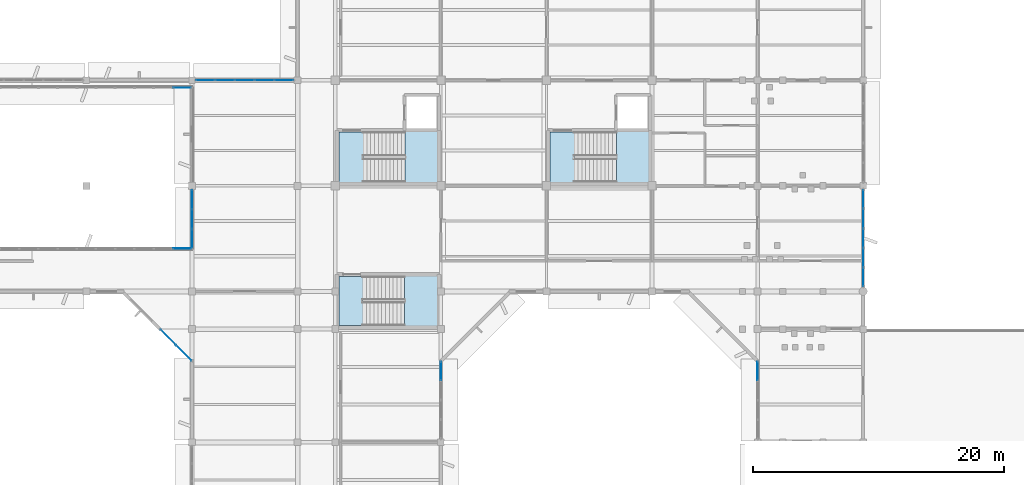
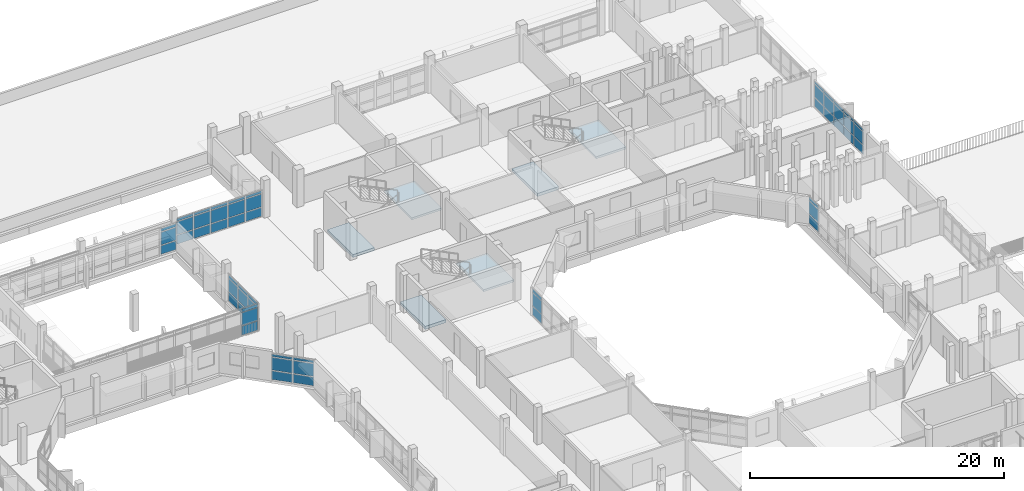
# One storey, part 55 of 92: 57 plates, 6 slabs, 11 elements without a shape of their own.
"""IFC4 building model written with IfcOpenShell, lengths in metres."""

from ifc_helpers import new_model, si_unit, direction, frame, origin, origin_2d, place, context, subcontext, project, spatial, polyline, rectangle, outline, extrude, material, layer, layer_set, type_object, element, aggregate, save


model = new_model("IFC4")

# Units and contexts
model_context = context("Model", 3, precision=1e-05, world=origin(), true_north=direction((0.0, 1.0)))
body_context = subcontext(model_context, "Body", "Model", "MODEL_VIEW")
ifc_project = project(units=[si_unit("LENGTHUNIT", "METRE"), si_unit("AREAUNIT", "SQUARE_METRE"), si_unit("VOLUMEUNIT", "CUBIC_METRE"), si_unit("PLANEANGLEUNIT", "RADIAN"), si_unit("MASSUNIT", "GRAM", prefix="KILO")], contexts=[model_context])

# Site, building, storey
site_placement = place(None, origin())
site = spatial("IfcSite", under=ifc_project, at=site_placement, CompositionType="ELEMENT")
building_placement = place(site_placement, origin())
building = spatial("IfcBuilding", under=site, at=building_placement, Name="Vanh Quang Courtyard School", CompositionType="ELEMENT")
storey_placement = place(building_placement, frame((0.0, 0.0, 7.800048828125)))
storey = spatial("IfcBuildingStorey", under=building, at=storey_placement, Name="L02", CompositionType="ELEMENT", Elevation=7.800048828125)

# Curtain wall, plates
ifc_material_1 = material(Name="Thermally broken aluminium unitised curtain wall", Category="aluminium")
curtain_wall_type_1 = type_object("IfcCurtainWallType", Name="CW-SYS-41", PredefinedType="NOTDEFINED", material=ifc_material_1)
curtain_wall_1_placement = place(storey_placement, origin())
curtain_wall_1 = element("IfcCurtainWall", 1, at=curtain_wall_1_placement, inside=storey, type_object=curtain_wall_type_1, Name="Curtain Wall CW-41 (L02)", PredefinedType="NOTDEFINED")
ifc_material_2 = material(Name="Low-E laminated double glazing", Category="glass")
ifc_layer_1 = layer(ifc_material_2, 0.028076171875)
ifc_layer_set_1 = layer_set([ifc_layer_1], Name="Low-E laminated double glazing")
plate_type_1 = type_object("IfcPlateType", Name="CW-PNL-28", PredefinedType="CURTAIN_PANEL", material=ifc_layer_set_1)
plate_1_placement = place(storey_placement, frame((65.349853515625, 66.506103515625, 0.079833984375), z_axis=(0.0, 0.0, 1.0), x_axis=(-0.707106781187, 0.707106781187, 0.0)))
plate_1 = element("IfcPlate", 2, at=plate_1_placement, type_object=plate_type_1, Name="CW-41 panel 1.1", PredefinedType="CURTAIN_PANEL", context=body_context, shape_type="SweptSolid", body=[
    extrude(rectangle(XDim=1.678955078125, YDim=0.028076171875, at=origin_2d()), origin(), (0.0, 0.0, 1.0), 0.830078125),
])
plate_2_placement = place(storey_placement, frame((65.349853515625, 66.506103515625, 0.98974609375), z_axis=(0.0, 0.0, 1.0), x_axis=(-0.707106781187, 0.707106781187, 0.0)))
plate_2 = element("IfcPlate", 3, at=plate_2_placement, type_object=plate_type_1, Name="CW-41 panel 1.2", PredefinedType="CURTAIN_PANEL", context=body_context, shape_type="SweptSolid", body=[
    extrude(rectangle(XDim=1.678955078125, YDim=0.028076171875, at=origin_2d()), origin(), (0.0, 0.0, 1.0), 1.219970703125),
])
plate_3_placement = place(storey_placement, frame((65.349853515625, 66.506103515625, 2.2900390625), z_axis=(0.0, 0.0, 1.0), x_axis=(-0.707106781187, 0.707106781187, 0.0)))
plate_3 = element("IfcPlate", 4, at=plate_3_placement, type_object=plate_type_1, Name="CW-41 panel 1.3", PredefinedType="CURTAIN_PANEL", context=body_context, shape_type="SweptSolid", body=[
    extrude(rectangle(XDim=1.678955078125, YDim=0.028076171875, at=origin_2d()), origin(), (0.0, 0.0, 1.0), 0.22998046875),
])
plate_4_placement = place(storey_placement, frame((64.106201171875, 67.749755859375, 0.079833984375), z_axis=(0.0, 0.0, 1.0), x_axis=(-0.707106781187, 0.707106781187, 0.0)))
plate_4 = element("IfcPlate", 5, at=plate_4_placement, type_object=plate_type_1, Name="CW-41 panel 2.1", PredefinedType="CURTAIN_PANEL", context=body_context, shape_type="SweptSolid", body=[
    extrude(rectangle(XDim=1.678955078125, YDim=0.028076171875, at=origin_2d()), origin(), (0.0, 0.0, 1.0), 0.830078125),
])
plate_5_placement = place(storey_placement, frame((64.106201171875, 67.749755859375, 0.98974609375), z_axis=(0.0, 0.0, 1.0), x_axis=(-0.707106781187, 0.707106781187, 0.0)))
plate_5 = element("IfcPlate", 6, at=plate_5_placement, type_object=plate_type_1, Name="CW-41 panel 2.2", PredefinedType="CURTAIN_PANEL", context=body_context, shape_type="SweptSolid", body=[
    extrude(rectangle(XDim=1.678955078125, YDim=0.028076171875, at=origin_2d()), origin(), (0.0, 0.0, 1.0), 1.219970703125),
])
plate_6_placement = place(storey_placement, frame((64.106201171875, 67.749755859375, 2.2900390625), z_axis=(0.0, 0.0, 1.0), x_axis=(-0.707106781187, 0.707106781187, 0.0)))
plate_6 = element("IfcPlate", 7, at=plate_6_placement, type_object=plate_type_1, Name="CW-41 panel 2.3", PredefinedType="CURTAIN_PANEL", context=body_context, shape_type="SweptSolid", body=[
    extrude(rectangle(XDim=1.678955078125, YDim=0.028076171875, at=origin_2d()), origin(), (0.0, 0.0, 1.0), 0.22998046875),
])
aggregate(curtain_wall_1, [plate_1, plate_2, plate_3, plate_4, plate_5, plate_6])

curtain_wall_type_2 = type_object("IfcCurtainWallType", Name="CW-SYS-44", PredefinedType="NOTDEFINED", material=ifc_material_1)
curtain_wall_2_placement = place(storey_placement, origin())
curtain_wall_2 = element("IfcCurtainWall", 8, at=curtain_wall_2_placement, inside=storey, type_object=curtain_wall_type_2, Name="Curtain Wall CW-44 (L02)", PredefinedType="NOTDEFINED")
plate_7_placement = place(storey_placement, frame((111.0, 65.066162109375, 0.06005859375), z_axis=(0.0, 0.0, 1.0), x_axis=(0.0, 1.0, 0.0)))
plate_7 = element("IfcPlate", 9, at=plate_7_placement, type_object=plate_type_1, Name="CW-44 panel 4.1", PredefinedType="CURTAIN_PANEL", context=body_context, shape_type="SweptSolid", body=[
    extrude(rectangle(XDim=1.45947265625, YDim=0.028076171875, at=origin_2d()), origin(), (0.0, 0.0, 1.0), 0.860107421875),
])
plate_8_placement = place(storey_placement, frame((111.0, 65.066162109375, 0.97998046875), z_axis=(0.0, 0.0, 1.0), x_axis=(0.0, 1.0, 0.0)))
plate_8 = element("IfcPlate", 10, at=plate_8_placement, type_object=plate_type_1, Name="CW-44 panel 4.2", PredefinedType="CURTAIN_PANEL", context=body_context, shape_type="SweptSolid", body=[
    extrude(rectangle(XDim=1.45947265625, YDim=0.028076171875, at=origin_2d()), origin(), (0.0, 0.0, 1.0), 1.239990234375),
])
plate_9_placement = place(storey_placement, frame((111.0, 65.066162109375, 2.27978515625), z_axis=(0.0, 0.0, 1.0), x_axis=(0.0, 1.0, 0.0)))
plate_9 = element("IfcPlate", 11, at=plate_9_placement, type_object=plate_type_1, Name="CW-44 panel 4.3", PredefinedType="CURTAIN_PANEL", context=body_context, shape_type="SweptSolid", body=[
    extrude(rectangle(XDim=1.45947265625, YDim=0.028076171875, at=origin_2d()), origin(), (0.0, 0.0, 1.0), 0.300048828125),
])
aggregate(curtain_wall_2, [plate_7, plate_8, plate_9])

curtain_wall_type_3 = type_object("IfcCurtainWallType", Name="CW-SYS-55", PredefinedType="NOTDEFINED", material=ifc_material_1)
curtain_wall_3_placement = place(storey_placement, origin())
curtain_wall_3 = element("IfcCurtainWall", 12, at=curtain_wall_3_placement, inside=storey, type_object=curtain_wall_type_3, Name="Curtain Wall CW-55 (L02)", PredefinedType="NOTDEFINED")
plate_10_placement = place(storey_placement, frame((66.0, 75.603759765625, 0.06982421875), z_axis=(0.0, 0.0, 1.0), x_axis=(0.0, 1.0, 0.0)))
plate_10 = element("IfcPlate", 13, at=plate_10_placement, type_object=plate_type_1, Name="CW-55 panel 1.1", PredefinedType="CURTAIN_PANEL", context=body_context, shape_type="SweptSolid", body=[
    extrude(rectangle(XDim=1.46728515625, YDim=0.028076171875, at=origin_2d()), origin(), (0.0, 0.0, 1.0), 0.844970703125),
])
plate_11_placement = place(storey_placement, frame((66.0, 75.603759765625, 0.98486328125), z_axis=(0.0, 0.0, 1.0), x_axis=(0.0, 1.0, 0.0)))
plate_11 = element("IfcPlate", 14, at=plate_11_placement, type_object=plate_type_1, Name="CW-55 panel 1.2", PredefinedType="CURTAIN_PANEL", context=body_context, shape_type="SweptSolid", body=[
    extrude(rectangle(XDim=1.46728515625, YDim=0.028076171875, at=origin_2d()), origin(), (0.0, 0.0, 1.0), 1.22998046875),
])
plate_12_placement = place(storey_placement, frame((66.0, 75.603759765625, 2.284912109375), z_axis=(0.0, 0.0, 1.0), x_axis=(0.0, 1.0, 0.0)))
plate_12 = element("IfcPlate", 15, at=plate_12_placement, type_object=plate_type_1, Name="CW-55 panel 1.3", PredefinedType="CURTAIN_PANEL", context=body_context, shape_type="SweptSolid", body=[
    extrude(rectangle(XDim=1.46728515625, YDim=0.028076171875, at=origin_2d()), origin(), (0.0, 0.0, 1.0), 0.294921875),
])
plate_13_placement = place(storey_placement, frame((66.0, 77.158447265625, 0.06982421875), z_axis=(0.0, 0.0, 1.0), x_axis=(0.0, 1.0, 0.0)))
plate_13 = element("IfcPlate", 16, at=plate_13_placement, type_object=plate_type_1, Name="CW-55 panel 2.1", PredefinedType="CURTAIN_PANEL", context=body_context, shape_type="SweptSolid", body=[
    extrude(rectangle(XDim=1.50244140625, YDim=0.028076171875, at=origin_2d()), origin(), (0.0, 0.0, 1.0), 0.844970703125),
])
plate_14_placement = place(storey_placement, frame((66.0, 77.158447265625, 0.98486328125), z_axis=(0.0, 0.0, 1.0), x_axis=(0.0, 1.0, 0.0)))
plate_14 = element("IfcPlate", 17, at=plate_14_placement, type_object=plate_type_1, Name="CW-55 panel 2.2", PredefinedType="CURTAIN_PANEL", context=body_context, shape_type="SweptSolid", body=[
    extrude(rectangle(XDim=1.50244140625, YDim=0.028076171875, at=origin_2d()), origin(), (0.0, 0.0, 1.0), 1.22998046875),
])
plate_15_placement = place(storey_placement, frame((66.0, 77.158447265625, 2.284912109375), z_axis=(0.0, 0.0, 1.0), x_axis=(0.0, 1.0, 0.0)))
plate_15 = element("IfcPlate", 18, at=plate_15_placement, type_object=plate_type_1, Name="CW-55 panel 2.3", PredefinedType="CURTAIN_PANEL", context=body_context, shape_type="SweptSolid", body=[
    extrude(rectangle(XDim=1.50244140625, YDim=0.028076171875, at=origin_2d()), origin(), (0.0, 0.0, 1.0), 0.294921875),
])
plate_16_placement = place(storey_placement, frame((66.0, 78.71337890625, 0.06982421875), z_axis=(0.0, 0.0, 1.0), x_axis=(0.0, 1.0, 0.0)))
plate_16 = element("IfcPlate", 19, at=plate_16_placement, type_object=plate_type_1, Name="CW-55 panel 3.1", PredefinedType="CURTAIN_PANEL", context=body_context, shape_type="SweptSolid", body=[
    extrude(rectangle(XDim=1.46728515625, YDim=0.028076171875, at=origin_2d()), origin(), (0.0, 0.0, 1.0), 0.844970703125),
])
plate_17_placement = place(storey_placement, frame((66.0, 78.71337890625, 0.98486328125), z_axis=(0.0, 0.0, 1.0), x_axis=(0.0, 1.0, 0.0)))
plate_17 = element("IfcPlate", 20, at=plate_17_placement, type_object=plate_type_1, Name="CW-55 panel 3.2", PredefinedType="CURTAIN_PANEL", context=body_context, shape_type="SweptSolid", body=[
    extrude(rectangle(XDim=1.46728515625, YDim=0.028076171875, at=origin_2d()), origin(), (0.0, 0.0, 1.0), 1.22998046875),
])
plate_18_placement = place(storey_placement, frame((66.0, 78.71337890625, 2.284912109375), z_axis=(0.0, 0.0, 1.0), x_axis=(0.0, 1.0, 0.0)))
plate_18 = element("IfcPlate", 21, at=plate_18_placement, type_object=plate_type_1, Name="CW-55 panel 3.3", PredefinedType="CURTAIN_PANEL", context=body_context, shape_type="SweptSolid", body=[
    extrude(rectangle(XDim=1.46728515625, YDim=0.028076171875, at=origin_2d()), origin(), (0.0, 0.0, 1.0), 0.294921875),
])
aggregate(curtain_wall_3, [plate_10, plate_11, plate_12, plate_13, plate_14, plate_15, plate_16, plate_17, plate_18])

curtain_wall_type_4 = type_object("IfcCurtainWallType", Name="CW-SYS-19", PredefinedType="NOTDEFINED", material=ifc_material_1)
curtain_wall_4_placement = place(storey_placement, origin())
curtain_wall_4 = element("IfcCurtainWall", 22, at=curtain_wall_4_placement, inside=storey, type_object=curtain_wall_type_4, Name="Curtain Wall CW-19 (L02)", PredefinedType="NOTDEFINED")
ifc_layer_2 = layer(ifc_material_2, 0.031982421875)
ifc_layer_set_2 = layer_set([ifc_layer_2], Name="Low-E laminated double glazing")
plate_type_2 = type_object("IfcPlateType", Name="CW-PNL-32", PredefinedType="CURTAIN_PANEL", material=ifc_layer_set_2)
plate_19_placement = place(storey_placement, frame((67.061279296875, 88.199951171875, 0.06982421875), z_axis=(0.0, 0.0, 1.0), x_axis=(1.0, 0.0, 0.0)))
plate_19 = element("IfcPlate", 23, at=plate_19_placement, type_object=plate_type_2, Name="CW-19 panel 1.1", PredefinedType="CURTAIN_PANEL", context=body_context, shape_type="SweptSolid", body=[
    extrude(rectangle(XDim=1.466796875, YDim=0.031982421875, at=origin_2d()), origin(), (0.0, 0.0, 1.0), 0.844970703125),
])
plate_20_placement = place(storey_placement, frame((67.061279296875, 88.199951171875, 0.98486328125), z_axis=(0.0, 0.0, 1.0), x_axis=(1.0, 0.0, 0.0)))
plate_20 = element("IfcPlate", 24, at=plate_20_placement, type_object=plate_type_2, Name="CW-19 panel 1.2", PredefinedType="CURTAIN_PANEL", context=body_context, shape_type="SweptSolid", body=[
    extrude(rectangle(XDim=1.466796875, YDim=0.031982421875, at=origin_2d()), origin(), (0.0, 0.0, 1.0), 1.22998046875),
])
plate_21_placement = place(storey_placement, frame((67.061279296875, 88.199951171875, 2.284912109375), z_axis=(0.0, 0.0, 1.0), x_axis=(1.0, 0.0, 0.0)))
plate_21 = element("IfcPlate", 25, at=plate_21_placement, type_object=plate_type_2, Name="CW-19 panel 1.3", PredefinedType="CURTAIN_PANEL", context=body_context, shape_type="SweptSolid", body=[
    extrude(rectangle(XDim=1.466796875, YDim=0.031982421875, at=origin_2d()), origin(), (0.0, 0.0, 1.0), 0.2451171875),
])
plate_22_placement = place(storey_placement, frame((68.61572265625, 88.199951171875, 0.06982421875), z_axis=(0.0, 0.0, 1.0), x_axis=(1.0, 0.0, 0.0)))
plate_22 = element("IfcPlate", 26, at=plate_22_placement, type_object=plate_type_2, Name="CW-19 panel 2.1", PredefinedType="CURTAIN_PANEL", context=body_context, shape_type="SweptSolid", body=[
    extrude(rectangle(XDim=1.501708984375, YDim=0.031982421875, at=origin_2d()), origin(), (0.0, 0.0, 1.0), 0.844970703125),
])
plate_23_placement = place(storey_placement, frame((68.61572265625, 88.199951171875, 0.98486328125), z_axis=(0.0, 0.0, 1.0), x_axis=(1.0, 0.0, 0.0)))
plate_23 = element("IfcPlate", 27, at=plate_23_placement, type_object=plate_type_2, Name="CW-19 panel 2.2", PredefinedType="CURTAIN_PANEL", context=body_context, shape_type="SweptSolid", body=[
    extrude(rectangle(XDim=1.501708984375, YDim=0.031982421875, at=origin_2d()), origin(), (0.0, 0.0, 1.0), 1.22998046875),
])
plate_24_placement = place(storey_placement, frame((68.61572265625, 88.199951171875, 2.284912109375), z_axis=(0.0, 0.0, 1.0), x_axis=(1.0, 0.0, 0.0)))
plate_24 = element("IfcPlate", 28, at=plate_24_placement, type_object=plate_type_2, Name="CW-19 panel 2.3", PredefinedType="CURTAIN_PANEL", context=body_context, shape_type="SweptSolid", body=[
    extrude(rectangle(XDim=1.501708984375, YDim=0.031982421875, at=origin_2d()), origin(), (0.0, 0.0, 1.0), 0.2451171875),
])
plate_25_placement = place(storey_placement, frame((70.1875, 88.199951171875, 0.06982421875), z_axis=(0.0, 0.0, 1.0), x_axis=(1.0, 0.0, 0.0)))
plate_25 = element("IfcPlate", 29, at=plate_25_placement, type_object=plate_type_2, Name="CW-19 panel 3.1", PredefinedType="CURTAIN_PANEL", context=body_context, shape_type="SweptSolid", body=[
    extrude(rectangle(XDim=1.501708984375, YDim=0.031982421875, at=origin_2d()), origin(), (0.0, 0.0, 1.0), 0.844970703125),
])
plate_26_placement = place(storey_placement, frame((70.1875, 88.199951171875, 0.98486328125), z_axis=(0.0, 0.0, 1.0), x_axis=(1.0, 0.0, 0.0)))
plate_26 = element("IfcPlate", 30, at=plate_26_placement, type_object=plate_type_2, Name="CW-19 panel 3.2", PredefinedType="CURTAIN_PANEL", context=body_context, shape_type="SweptSolid", body=[
    extrude(rectangle(XDim=1.501708984375, YDim=0.031982421875, at=origin_2d()), origin(), (0.0, 0.0, 1.0), 1.22998046875),
])
plate_27_placement = place(storey_placement, frame((70.1875, 88.199951171875, 2.284912109375), z_axis=(0.0, 0.0, 1.0), x_axis=(1.0, 0.0, 0.0)))
plate_27 = element("IfcPlate", 31, at=plate_27_placement, type_object=plate_type_2, Name="CW-19 panel 3.3", PredefinedType="CURTAIN_PANEL", context=body_context, shape_type="SweptSolid", body=[
    extrude(rectangle(XDim=1.501708984375, YDim=0.031982421875, at=origin_2d()), origin(), (0.0, 0.0, 1.0), 0.2451171875),
])
plate_28_placement = place(storey_placement, frame((71.75927734375, 88.199951171875, 0.06982421875), z_axis=(0.0, 0.0, 1.0), x_axis=(1.0, 0.0, 0.0)))
plate_28 = element("IfcPlate", 32, at=plate_28_placement, type_object=plate_type_2, Name="CW-19 panel 4.1", PredefinedType="CURTAIN_PANEL", context=body_context, shape_type="SweptSolid", body=[
    extrude(rectangle(XDim=1.501708984375, YDim=0.031982421875, at=origin_2d()), origin(), (0.0, 0.0, 1.0), 0.844970703125),
])
plate_29_placement = place(storey_placement, frame((71.75927734375, 88.199951171875, 0.98486328125), z_axis=(0.0, 0.0, 1.0), x_axis=(1.0, 0.0, 0.0)))
plate_29 = element("IfcPlate", 33, at=plate_29_placement, type_object=plate_type_2, Name="CW-19 panel 4.2", PredefinedType="CURTAIN_PANEL", context=body_context, shape_type="SweptSolid", body=[
    extrude(rectangle(XDim=1.501708984375, YDim=0.031982421875, at=origin_2d()), origin(), (0.0, 0.0, 1.0), 1.22998046875),
])
plate_30_placement = place(storey_placement, frame((71.75927734375, 88.199951171875, 2.284912109375), z_axis=(0.0, 0.0, 1.0), x_axis=(1.0, 0.0, 0.0)))
plate_30 = element("IfcPlate", 34, at=plate_30_placement, type_object=plate_type_2, Name="CW-19 panel 4.3", PredefinedType="CURTAIN_PANEL", context=body_context, shape_type="SweptSolid", body=[
    extrude(rectangle(XDim=1.501708984375, YDim=0.031982421875, at=origin_2d()), origin(), (0.0, 0.0, 1.0), 0.2451171875),
])
plate_31_placement = place(storey_placement, frame((73.313720703125, 88.199951171875, 0.06982421875), z_axis=(0.0, 0.0, 1.0), x_axis=(1.0, 0.0, 0.0)))
plate_31 = element("IfcPlate", 35, at=plate_31_placement, type_object=plate_type_2, Name="CW-19 panel 5.1", PredefinedType="CURTAIN_PANEL", context=body_context, shape_type="SweptSolid", body=[
    extrude(rectangle(XDim=1.466796875, YDim=0.031982421875, at=origin_2d()), origin(), (0.0, 0.0, 1.0), 0.844970703125),
])
plate_32_placement = place(storey_placement, frame((73.313720703125, 88.199951171875, 0.98486328125), z_axis=(0.0, 0.0, 1.0), x_axis=(1.0, 0.0, 0.0)))
plate_32 = element("IfcPlate", 36, at=plate_32_placement, type_object=plate_type_2, Name="CW-19 panel 5.2", PredefinedType="CURTAIN_PANEL", context=body_context, shape_type="SweptSolid", body=[
    extrude(rectangle(XDim=1.466796875, YDim=0.031982421875, at=origin_2d()), origin(), (0.0, 0.0, 1.0), 1.22998046875),
])
plate_33_placement = place(storey_placement, frame((73.313720703125, 88.199951171875, 2.284912109375), z_axis=(0.0, 0.0, 1.0), x_axis=(1.0, 0.0, 0.0)))
plate_33 = element("IfcPlate", 37, at=plate_33_placement, type_object=plate_type_2, Name="CW-19 panel 5.3", PredefinedType="CURTAIN_PANEL", context=body_context, shape_type="SweptSolid", body=[
    extrude(rectangle(XDim=1.466796875, YDim=0.031982421875, at=origin_2d()), origin(), (0.0, 0.0, 1.0), 0.2451171875),
])
aggregate(curtain_wall_4, [plate_19, plate_20, plate_21, plate_22, plate_23, plate_24, plate_25, plate_26, plate_27, plate_28, plate_29, plate_30, plate_31, plate_32, plate_33])

curtain_wall_type_5 = type_object("IfcCurtainWallType", Name="CW-SYS-24", PredefinedType="NOTDEFINED", material=ifc_material_1)
curtain_wall_5_placement = place(storey_placement, origin())
curtain_wall_5 = element("IfcCurtainWall", 38, at=curtain_wall_5_placement, inside=storey, type_object=curtain_wall_type_5, Name="Curtain Wall CW-24 (L02)", PredefinedType="NOTDEFINED")
plate_34_placement = place(storey_placement, frame((119.39990234375, 78.7412109375, 0.079833984375), z_axis=(0.0, 0.0, 1.0), x_axis=(0.0, -1.0, 0.0)))
plate_34 = element("IfcPlate", 39, at=plate_34_placement, type_object=plate_type_2, Name="CW-24 panel 1.1", PredefinedType="CURTAIN_PANEL", context=body_context, shape_type="SweptSolid", body=[
    extrude(rectangle(XDim=1.44189453125, YDim=0.031982421875, at=origin_2d()), origin(), (0.0, 0.0, 1.0), 0.830078125),
])
plate_35_placement = place(storey_placement, frame((119.39990234375, 78.7412109375, 0.98974609375), z_axis=(0.0, 0.0, 1.0), x_axis=(0.0, -1.0, 0.0)))
plate_35 = element("IfcPlate", 40, at=plate_35_placement, type_object=plate_type_2, Name="CW-24 panel 1.2", PredefinedType="CURTAIN_PANEL", context=body_context, shape_type="SweptSolid", body=[
    extrude(rectangle(XDim=1.44189453125, YDim=0.031982421875, at=origin_2d()), origin(), (0.0, 0.0, 1.0), 1.219970703125),
])
plate_36_placement = place(storey_placement, frame((119.39990234375, 78.7412109375, 2.2900390625), z_axis=(0.0, 0.0, 1.0), x_axis=(0.0, -1.0, 0.0)))
plate_36 = element("IfcPlate", 41, at=plate_36_placement, type_object=plate_type_2, Name="CW-24 panel 1.3", PredefinedType="CURTAIN_PANEL", context=body_context, shape_type="SweptSolid", body=[
    extrude(rectangle(XDim=1.44189453125, YDim=0.031982421875, at=origin_2d()), origin(), (0.0, 0.0, 1.0), 0.2099609375),
])
plate_37_placement = place(storey_placement, frame((119.39990234375, 77.19921875, 0.079833984375), z_axis=(0.0, 0.0, 1.0), x_axis=(0.0, -1.0, 0.0)))
plate_37 = element("IfcPlate", 42, at=plate_37_placement, type_object=plate_type_2, Name="CW-24 panel 2.1", PredefinedType="CURTAIN_PANEL", context=body_context, shape_type="SweptSolid", body=[
    extrude(rectangle(XDim=1.481689453125, YDim=0.031982421875, at=origin_2d()), origin(), (0.0, 0.0, 1.0), 0.830078125),
])
plate_38_placement = place(storey_placement, frame((119.39990234375, 77.19921875, 0.98974609375), z_axis=(0.0, 0.0, 1.0), x_axis=(0.0, -1.0, 0.0)))
plate_38 = element("IfcPlate", 43, at=plate_38_placement, type_object=plate_type_2, Name="CW-24 panel 2.2", PredefinedType="CURTAIN_PANEL", context=body_context, shape_type="SweptSolid", body=[
    extrude(rectangle(XDim=1.481689453125, YDim=0.031982421875, at=origin_2d()), origin(), (0.0, 0.0, 1.0), 1.219970703125),
])
plate_39_placement = place(storey_placement, frame((119.39990234375, 77.19921875, 2.2900390625), z_axis=(0.0, 0.0, 1.0), x_axis=(0.0, -1.0, 0.0)))
plate_39 = element("IfcPlate", 44, at=plate_39_placement, type_object=plate_type_2, Name="CW-24 panel 2.3", PredefinedType="CURTAIN_PANEL", context=body_context, shape_type="SweptSolid", body=[
    extrude(rectangle(XDim=1.481689453125, YDim=0.031982421875, at=origin_2d()), origin(), (0.0, 0.0, 1.0), 0.2099609375),
])
plate_40_placement = place(storey_placement, frame((119.39990234375, 75.637451171875, 0.079833984375), z_axis=(0.0, 0.0, 1.0), x_axis=(0.0, -1.0, 0.0)))
plate_40 = element("IfcPlate", 45, at=plate_40_placement, type_object=plate_type_2, Name="CW-24 panel 3.1", PredefinedType="CURTAIN_PANEL", context=body_context, shape_type="SweptSolid", body=[
    extrude(rectangle(XDim=1.481689453125, YDim=0.031982421875, at=origin_2d()), origin(), (0.0, 0.0, 1.0), 0.830078125),
])
plate_41_placement = place(storey_placement, frame((119.39990234375, 75.637451171875, 0.98974609375), z_axis=(0.0, 0.0, 1.0), x_axis=(0.0, -1.0, 0.0)))
plate_41 = element("IfcPlate", 46, at=plate_41_placement, type_object=plate_type_2, Name="CW-24 panel 3.2", PredefinedType="CURTAIN_PANEL", context=body_context, shape_type="SweptSolid", body=[
    extrude(rectangle(XDim=1.481689453125, YDim=0.031982421875, at=origin_2d()), origin(), (0.0, 0.0, 1.0), 1.219970703125),
])
plate_42_placement = place(storey_placement, frame((119.39990234375, 75.637451171875, 2.2900390625), z_axis=(0.0, 0.0, 1.0), x_axis=(0.0, -1.0, 0.0)))
plate_42 = element("IfcPlate", 47, at=plate_42_placement, type_object=plate_type_2, Name="CW-24 panel 3.3", PredefinedType="CURTAIN_PANEL", context=body_context, shape_type="SweptSolid", body=[
    extrude(rectangle(XDim=1.481689453125, YDim=0.031982421875, at=origin_2d()), origin(), (0.0, 0.0, 1.0), 0.2099609375),
])
plate_43_placement = place(storey_placement, frame((119.39990234375, 74.07568359375, 0.079833984375), z_axis=(0.0, 0.0, 1.0), x_axis=(0.0, -1.0, 0.0)))
plate_43 = element("IfcPlate", 48, at=plate_43_placement, type_object=plate_type_2, Name="CW-24 panel 4.1", PredefinedType="CURTAIN_PANEL", context=body_context, shape_type="SweptSolid", body=[
    extrude(rectangle(XDim=1.481689453125, YDim=0.031982421875, at=origin_2d()), origin(), (0.0, 0.0, 1.0), 0.830078125),
])
plate_44_placement = place(storey_placement, frame((119.39990234375, 74.07568359375, 0.98974609375), z_axis=(0.0, 0.0, 1.0), x_axis=(0.0, -1.0, 0.0)))
plate_44 = element("IfcPlate", 49, at=plate_44_placement, type_object=plate_type_2, Name="CW-24 panel 4.2", PredefinedType="CURTAIN_PANEL", context=body_context, shape_type="SweptSolid", body=[
    extrude(rectangle(XDim=1.481689453125, YDim=0.031982421875, at=origin_2d()), origin(), (0.0, 0.0, 1.0), 1.219970703125),
])
plate_45_placement = place(storey_placement, frame((119.39990234375, 74.07568359375, 2.2900390625), z_axis=(0.0, 0.0, 1.0), x_axis=(0.0, -1.0, 0.0)))
plate_45 = element("IfcPlate", 50, at=plate_45_placement, type_object=plate_type_2, Name="CW-24 panel 4.3", PredefinedType="CURTAIN_PANEL", context=body_context, shape_type="SweptSolid", body=[
    extrude(rectangle(XDim=1.481689453125, YDim=0.031982421875, at=origin_2d()), origin(), (0.0, 0.0, 1.0), 0.2099609375),
])
plate_46_placement = place(storey_placement, frame((119.39990234375, 72.533935546875, 0.079833984375), z_axis=(0.0, 0.0, 1.0), x_axis=(0.0, -1.0, 0.0)))
plate_46 = element("IfcPlate", 51, at=plate_46_placement, type_object=plate_type_2, Name="CW-24 panel 5.1", PredefinedType="CURTAIN_PANEL", context=body_context, shape_type="SweptSolid", body=[
    extrude(rectangle(XDim=1.44189453125, YDim=0.031982421875, at=origin_2d()), origin(), (0.0, 0.0, 1.0), 0.830078125),
])
plate_47_placement = place(storey_placement, frame((119.39990234375, 72.533935546875, 0.98974609375), z_axis=(0.0, 0.0, 1.0), x_axis=(0.0, -1.0, 0.0)))
plate_47 = element("IfcPlate", 52, at=plate_47_placement, type_object=plate_type_2, Name="CW-24 panel 5.2", PredefinedType="CURTAIN_PANEL", context=body_context, shape_type="SweptSolid", body=[
    extrude(rectangle(XDim=1.44189453125, YDim=0.031982421875, at=origin_2d()), origin(), (0.0, 0.0, 1.0), 1.219970703125),
])
plate_48_placement = place(storey_placement, frame((119.39990234375, 72.533935546875, 2.2900390625), z_axis=(0.0, 0.0, 1.0), x_axis=(0.0, -1.0, 0.0)))
plate_48 = element("IfcPlate", 53, at=plate_48_placement, type_object=plate_type_2, Name="CW-24 panel 5.3", PredefinedType="CURTAIN_PANEL", context=body_context, shape_type="SweptSolid", body=[
    extrude(rectangle(XDim=1.44189453125, YDim=0.031982421875, at=origin_2d()), origin(), (0.0, 0.0, 1.0), 0.2099609375),
])
aggregate(curtain_wall_5, [plate_34, plate_35, plate_36, plate_37, plate_38, plate_39, plate_40, plate_41, plate_42, plate_43, plate_44, plate_45, plate_46, plate_47, plate_48])

curtain_wall_6_placement = place(storey_placement, origin())
curtain_wall_6 = element("IfcCurtainWall", 54, at=curtain_wall_6_placement, inside=storey, type_object=curtain_wall_type_2, Name="Curtain Wall CW-44 (L02)", PredefinedType="NOTDEFINED")
plate_49_placement = place(storey_placement, frame((85.800048828125, 65.063720703125, 0.06982421875), z_axis=(0.0, 0.0, 1.0), x_axis=(0.0, -1.0, 0.0)))
plate_49 = element("IfcPlate", 55, at=plate_49_placement, type_object=plate_type_2, Name="CW-44 panel 1.1", PredefinedType="CURTAIN_PANEL", context=body_context, shape_type="SweptSolid", body=[
    extrude(rectangle(XDim=1.444580078125, YDim=0.031982421875, at=origin_2d()), origin(), (0.0, 0.0, 1.0), 0.844970703125),
])
plate_50_placement = place(storey_placement, frame((85.800048828125, 65.063720703125, 0.98486328125), z_axis=(0.0, 0.0, 1.0), x_axis=(0.0, -1.0, 0.0)))
plate_50 = element("IfcPlate", 56, at=plate_50_placement, type_object=plate_type_2, Name="CW-44 panel 1.2", PredefinedType="CURTAIN_PANEL", context=body_context, shape_type="SweptSolid", body=[
    extrude(rectangle(XDim=1.444580078125, YDim=0.031982421875, at=origin_2d()), origin(), (0.0, 0.0, 1.0), 1.22998046875),
])
plate_51_placement = place(storey_placement, frame((85.800048828125, 65.063720703125, 2.28515625), z_axis=(0.0, 0.0, 1.0), x_axis=(0.0, -1.0, 0.0)))
plate_51 = element("IfcPlate", 57, at=plate_51_placement, type_object=plate_type_2, Name="CW-44 panel 1.3", PredefinedType="CURTAIN_PANEL", context=body_context, shape_type="SweptSolid", body=[
    extrude(rectangle(XDim=1.444580078125, YDim=0.031982421875, at=origin_2d()), origin(), (0.0, 0.0, 1.0), 0.284912109375),
])
aggregate(curtain_wall_6, [plate_49, plate_50, plate_51])

curtain_wall_type_6 = type_object("IfcCurtainWallType", Name="CW-SYS-54", PredefinedType="NOTDEFINED", material=ifc_material_1)
curtain_wall_7_placement = place(storey_placement, origin())
curtain_wall_7 = element("IfcCurtainWall", 58, at=curtain_wall_7_placement, inside=storey, type_object=curtain_wall_type_6, Name="Curtain Wall CW-54 (L02)", PredefinedType="NOTDEFINED")
plate_52_placement = place(storey_placement, frame((65.221435546875, 74.800048828125, 0.06005859375), z_axis=(0.0, 0.0, 1.0), x_axis=(1.0, 0.0, 0.0)))
plate_52 = element("IfcPlate", 59, at=plate_52_placement, type_object=plate_type_2, Name="CW-54 panel 11.1", PredefinedType="CURTAIN_PANEL", context=body_context, shape_type="SweptSolid", body=[
    extrude(rectangle(XDim=1.437255859375, YDim=0.031982421875, at=origin_2d()), origin(), (0.0, 0.0, 1.0), 0.860107421875),
])
plate_53_placement = place(storey_placement, frame((65.221435546875, 74.800048828125, 0.97998046875), z_axis=(0.0, 0.0, 1.0), x_axis=(1.0, 0.0, 0.0)))
plate_53 = element("IfcPlate", 60, at=plate_53_placement, type_object=plate_type_2, Name="CW-54 panel 11.2", PredefinedType="CURTAIN_PANEL", context=body_context, shape_type="SweptSolid", body=[
    extrude(rectangle(XDim=1.437255859375, YDim=0.031982421875, at=origin_2d()), origin(), (0.0, 0.0, 1.0), 1.239990234375),
])
plate_54_placement = place(storey_placement, frame((65.221435546875, 74.800048828125, 2.280029296875), z_axis=(0.0, 0.0, 1.0), x_axis=(1.0, 0.0, 0.0)))
plate_54 = element("IfcPlate", 61, at=plate_54_placement, type_object=plate_type_2, Name="CW-54 panel 11.3", PredefinedType="CURTAIN_PANEL", context=body_context, shape_type="SweptSolid", body=[
    extrude(rectangle(XDim=1.437255859375, YDim=0.031982421875, at=origin_2d()), origin(), (0.0, 0.0, 1.0), 0.31005859375),
])
aggregate(curtain_wall_7, [plate_52, plate_53, plate_54])

curtain_wall_8_placement = place(storey_placement, origin())
curtain_wall_8 = element("IfcCurtainWall", 62, at=curtain_wall_8_placement, inside=storey, type_object=curtain_wall_type_6, Name="Curtain Wall CW-54 (L02)", PredefinedType="NOTDEFINED")
plate_55_placement = place(storey_placement, frame((65.21630859375, 87.60009765625, 0.079833984375), z_axis=(0.0, 0.0, 1.0), x_axis=(-1.0, 0.0, 0.0)))
plate_55 = element("IfcPlate", 63, at=plate_55_placement, type_object=plate_type_2, Name="CW-54 panel 1.1", PredefinedType="CURTAIN_PANEL", context=body_context, shape_type="SweptSolid", body=[
    extrude(rectangle(XDim=1.4072265625, YDim=0.031982421875, at=origin_2d()), origin(), (0.0, 0.0, 1.0), 0.830078125),
])
plate_56_placement = place(storey_placement, frame((65.21630859375, 87.60009765625, 0.98974609375), z_axis=(0.0, 0.0, 1.0), x_axis=(-1.0, 0.0, 0.0)))
plate_56 = element("IfcPlate", 64, at=plate_56_placement, type_object=plate_type_2, Name="CW-54 panel 1.2", PredefinedType="CURTAIN_PANEL", context=body_context, shape_type="SweptSolid", body=[
    extrude(rectangle(XDim=1.4072265625, YDim=0.031982421875, at=origin_2d()), origin(), (0.0, 0.0, 1.0), 1.219970703125),
])
plate_57_placement = place(storey_placement, frame((65.21630859375, 87.60009765625, 2.2900390625), z_axis=(0.0, 0.0, 1.0), x_axis=(-1.0, 0.0, 0.0)))
plate_57 = element("IfcPlate", 65, at=plate_57_placement, type_object=plate_type_2, Name="CW-54 panel 1.3", PredefinedType="CURTAIN_PANEL", context=body_context, shape_type="SweptSolid", body=[
    extrude(rectangle(XDim=1.4072265625, YDim=0.031982421875, at=origin_2d()), origin(), (0.0, 0.0, 1.0), 0.280029296875),
])
aggregate(curtain_wall_8, [plate_55, plate_56, plate_57])

# Slabs
ifc_material_3 = material(Name="Concrete C30/37", Category="concrete")
ifc_layer_3 = layer(ifc_material_3, 0.280029296875)
ifc_layer_set_3 = layer_set([ifc_layer_3], Name="Concrete C30/37")
slab_type_1 = type_object("IfcSlabType", Name="SLB-FLR-280", PredefinedType="FLOOR", material=ifc_layer_set_3)
slab_1_placement = place(storey_placement, frame((0.0, 0.0, -0.280029296875)))
element("IfcSlab", 66, at=slab_1_placement, inside=storey, type_object=slab_type_1, Name="Slab SF-02 (L02)", PredefinedType="FLOOR", context=body_context, shape_type="SweptSolid", body=[
    extrude(outline(polyline([(79.6298828125, 80.080078125), (77.679931640625, 80.080078125), (77.679931640625, 84.080078125), (79.6298828125, 84.080078125), (79.6298828125, 80.080078125)])), origin(), (0.0, 0.0, 1.0), 0.280029296875),
])
slab_2_placement = place(storey_placement, frame((0.0, 0.0, -0.280029296875)))
element("IfcSlab", 67, at=slab_2_placement, inside=storey, type_object=slab_type_1, Name="Slab SF-02 (L02)", PredefinedType="FLOOR", context=body_context, shape_type="SweptSolid", body=[
    extrude(outline(polyline([(96.429931640625, 80.080078125), (94.47998046875, 80.080078125), (94.47998046875, 84.080078125), (96.429931640625, 84.080078125), (96.429931640625, 80.080078125)])), origin(), (0.0, 0.0, 1.0), 0.280029296875),
])
slab_3_placement = place(storey_placement, frame((0.0, 0.0, -0.280029296875)))
element("IfcSlab", 68, at=slab_3_placement, inside=storey, type_object=slab_type_1, Name="Slab SF-02 (L02)", PredefinedType="FLOOR", context=body_context, shape_type="SweptSolid", body=[
    extrude(outline(polyline([(79.590087890625, 68.679931640625), (77.679931640625, 68.679931640625), (77.679931640625, 71.39990234375), (77.679931640625, 72.60009765625), (79.590087890625, 72.60009765625), (79.590087890625, 68.679931640625)])), origin(), (0.0, 0.0, 1.0), 0.280029296875),
])

# Stair, slab
stair_type_1 = type_object("IfcStairType", Name="STR-CORE-1920", PredefinedType="HALF_TURN_STAIR", material=ifc_material_3)
stair_1_placement = place(storey_placement, origin())
stair_1 = element("IfcStair", 69, at=stair_1_placement, inside=storey, type_object=stair_type_1, Name="L02 ST-01", PredefinedType="HALF_TURN_STAIR")
ifc_layer_4 = layer(ifc_material_3, 0.199951171875)
ifc_layer_set_4 = layer_set([ifc_layer_4], Name="Concrete C30/37")
slab_type_2 = type_object("IfcSlabType", Name="SLB-LND-200", PredefinedType="LANDING", material=ifc_layer_set_4)
slab_4_placement = place(storey_placement, frame((0.0, 0.0, 1.599853515625)))
slab_4 = element("IfcSlab", 70, at=slab_4_placement, type_object=slab_type_2, Name="ST-01 landing 1", PredefinedType="LANDING", context=body_context, shape_type="SweptSolid", body=[
    extrude(outline(polyline([(82.955078125, 79.919921875), (85.679931640625, 79.919921875), (85.679931640625, 84.239990234375), (82.955078125, 84.239990234375), (82.955078125, 79.919921875)])), origin(), (0.0, 0.0, 1.0), 0.2001953125),
])
aggregate(stair_1, [slab_4])

stair_2_placement = place(storey_placement, origin())
stair_2 = element("IfcStair", 71, at=stair_2_placement, inside=storey, type_object=stair_type_1, Name="L02 ST-02", PredefinedType="HALF_TURN_STAIR")
slab_5_placement = place(storey_placement, frame((0.0, 0.0, 1.599853515625)))
slab_5 = element("IfcSlab", 72, at=slab_5_placement, type_object=slab_type_2, Name="ST-02 landing 1", PredefinedType="LANDING", context=body_context, shape_type="SweptSolid", body=[
    extrude(outline(polyline([(99.7548828125, 79.919921875), (102.47998046875, 79.919921875), (102.47998046875, 84.239990234375), (99.7548828125, 84.239990234375), (99.7548828125, 79.919921875)])), origin(), (0.0, 0.0, 1.0), 0.2001953125),
])
aggregate(stair_2, [slab_5])

stair_type_2 = type_object("IfcStairType", Name="STR-CORE-1880", PredefinedType="HALF_TURN_STAIR", material=ifc_material_3)
stair_3_placement = place(storey_placement, origin())
stair_3 = element("IfcStair", 73, at=stair_3_placement, inside=storey, type_object=stair_type_2, Name="L02 ST-05", PredefinedType="HALF_TURN_STAIR")
slab_6_placement = place(storey_placement, frame((0.0, 0.0, 1.599853515625)))
slab_6 = element("IfcSlab", 74, at=slab_6_placement, type_object=slab_type_2, Name="ST-05 landing 1", PredefinedType="LANDING", context=body_context, shape_type="SweptSolid", body=[
    extrude(outline(polyline([(82.9150390625, 68.52001953125), (85.679931640625, 68.52001953125), (85.679931640625, 72.760009765625), (82.9150390625, 72.760009765625), (82.9150390625, 68.52001953125)])), origin(), (0.0, 0.0, 1.0), 0.2001953125),
])
aggregate(stair_3, [slab_6])

save(model, "model.ifc")
